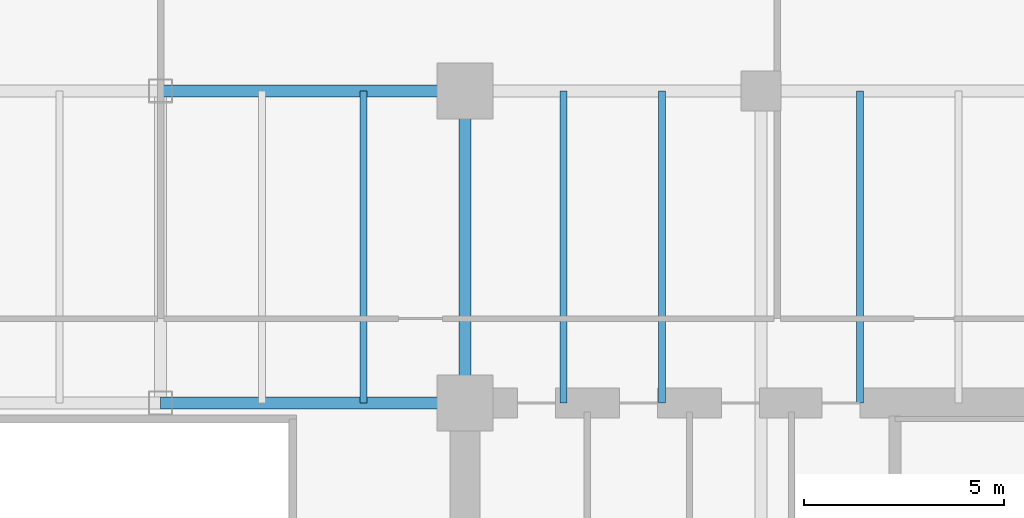
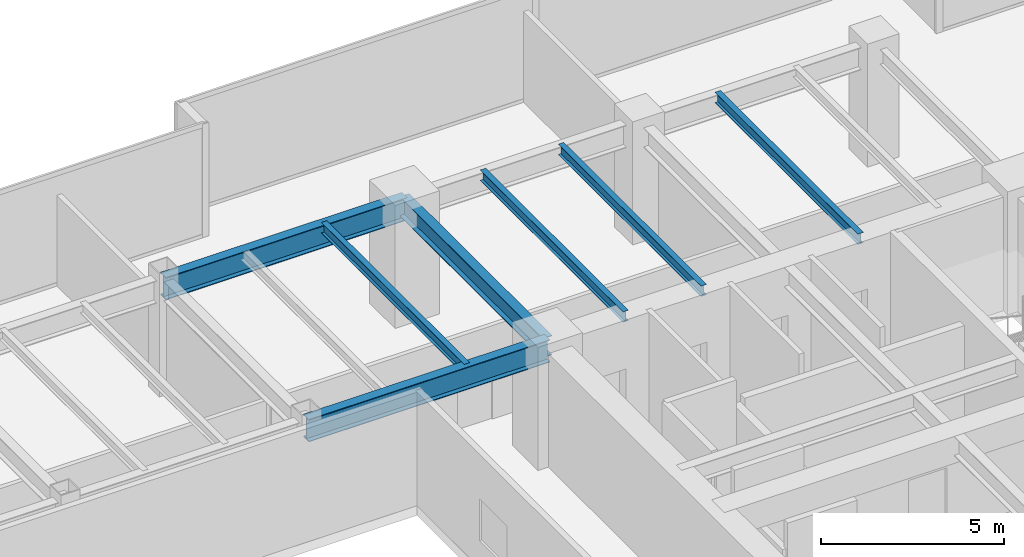
# One storey, part 19 of 35: 7 beams.
"""IFC4 building model written with IfcOpenShell, lengths in metres."""

from ifc_helpers import new_model, si_unit, direction, frame, origin, origin_2d, place, context, subcontext, project, spatial, i_section, extrude, source, transform, mapped, material, material_profile, profile_set, type_object, type_shapes, element, save


model = new_model("IFC4")

# Units and contexts
model_context = context("Model", 3, precision=1e-05, world=origin(), true_north=direction((0.0, 1.0)))
body_context = subcontext(model_context, "Body", "Model", "MODEL_VIEW")
ifc_project = project(units=[si_unit("LENGTHUNIT", "METRE"), si_unit("AREAUNIT", "SQUARE_METRE"), si_unit("VOLUMEUNIT", "CUBIC_METRE"), si_unit("PLANEANGLEUNIT", "RADIAN"), si_unit("MASSUNIT", "GRAM", prefix="KILO")], contexts=[model_context])

# Site, building, storey
site_placement = place(None, origin())
site = spatial("IfcSite", under=ifc_project, at=site_placement, CompositionType="ELEMENT")
building_placement = place(site_placement, origin())
building = spatial("IfcBuilding", under=site, at=building_placement, Name="Haelvirn Gate Laboratories", CompositionType="ELEMENT")
storey_placement = place(building_placement, frame((0.0, 0.0, 66.199951171875)))
storey = spatial("IfcBuildingStorey", under=building, at=storey_placement, Name="L16", CompositionType="ELEMENT", Elevation=66.199951171875)

# Beams
ifc_material = material(Name="Steel SM355", Category="steel")
ifc_material_profile_1 = material_profile(ifc_material, i_section(OverallWidth=0.300048828125, OverallDepth=0.75, WebThickness=0.013916015625, FlangeThickness=0.02392578125, at=origin_2d()), Name="H-750x300x14x24")
ifc_profile_set_1 = profile_set([ifc_material_profile_1], Name="Steel SM355")
beam_type_1 = type_object("IfcBeamType", Name="BM-G-750", PredefinedType="BEAM", material=ifc_profile_set_1)
shared_shape_1 = source(origin(), body_context, "Body", "SweptSolid", [
    extrude(i_section(OverallWidth=0.300048828125, OverallDepth=0.75, WebThickness=0.013916015625, FlangeThickness=0.02392578125, at=origin_2d()), origin(), (0.0, 0.0, 1.0), 7.60009765625),
])
type_shapes(beam_type_1, [shared_shape_1])
for number, where, z_axis, x_axis, name in (
    (1, (45.0, 33.800048828125, 3.405029296875), (1.0, 0.0, 0.0), (0.0, 1.0, 0.0), "L16 Primary Girder Y33.8 (45.0-52.6)"),
    (2, (45.0, 41.60009765625, 3.405029296875), (1.0, 0.0, 0.0), (0.0, 1.0, 0.0), "L16 Primary Girder Y41.6 (45.0-52.6)"),
):
    element("IfcBeam", number, at=place(storey_placement, frame(where, z_axis=z_axis, x_axis=x_axis)), inside=storey, type_object=beam_type_1, Name=name, PredefinedType="BEAM", context=body_context, shape_type="MappedRepresentation", body=[
        mapped(shared_shape_1, transform((0.0, 0.0, 0.0), scale=1.0)),
    ])
ifc_material_profile_2 = material_profile(ifc_material, i_section(OverallWidth=0.175048828125, OverallDepth=0.35009765625, WebThickness=0.007080078125, FlangeThickness=0.010986328125, at=origin_2d()), Name="H-350x175x7x11")
ifc_profile_set_2 = profile_set([ifc_material_profile_2], Name="Steel SM355")
beam_type_2 = type_object("IfcBeamType", Name="BM-J-350", PredefinedType="JOIST", material=ifc_profile_set_2)
shared_shape_2 = source(origin(), body_context, "Body", "SweptSolid", [
    extrude(i_section(OverallWidth=0.175048828125, OverallDepth=0.35009765625, WebThickness=0.007080078125, FlangeThickness=0.010986328125, at=origin_2d()), origin(), (0.0, 0.0, 1.0), 7.800048828125),
])
type_shapes(beam_type_2, [shared_shape_2])
for number, where, z_axis, x_axis, name in (
    (3, (50.070068359375, 33.800048828125, 3.60498046875), (0.0, 1.0, 0.0), (-1.0, 0.0, 0.0), "L16 Composite Lab Joist North X50.07"),
    (4, (55.070068359375, 33.800048828125, 3.60498046875), (0.0, 1.0, 0.0), (-1.0, 0.0, 0.0), "L16 Composite Lab Joist North X55.07"),
    (5, (57.530029296875, 33.800048828125, 3.60498046875), (0.0, 1.0, 0.0), (-1.0, 0.0, 0.0), "L16 Composite Lab Joist North X57.53"),
    (6, (62.469970703125, 33.800048828125, 3.60498046875), (0.0, 1.0, 0.0), (-1.0, 0.0, 0.0), "L16 Composite Lab Joist North X62.47"),
):
    element("IfcBeam", number, at=place(storey_placement, frame(where, z_axis=z_axis, x_axis=x_axis)), inside=storey, type_object=beam_type_2, Name=name, PredefinedType="JOIST", context=body_context, shape_type="MappedRepresentation", body=[
        mapped(shared_shape_2, transform((0.0, 0.0, 0.0), scale=1.0)),
    ])
ifc_material_profile_3 = material_profile(ifc_material, i_section(OverallWidth=0.300048828125, OverallDepth=0.64990234375, WebThickness=0.012939453125, FlangeThickness=0.02197265625, at=origin_2d()), Name="H-650x300x13x22")
ifc_profile_set_3 = profile_set([ifc_material_profile_3], Name="Steel SM355")
beam_type_3 = type_object("IfcBeamType", Name="BM-G-650", PredefinedType="BEAM", material=ifc_profile_set_3)
shared_shape_3 = source(origin(), body_context, "Body", "SweptSolid", [
    extrude(i_section(OverallWidth=0.300048828125, OverallDepth=0.64990234375, WebThickness=0.012939453125, FlangeThickness=0.02197265625, at=origin_2d()), origin(), (0.0, 0.0, 1.0), 7.800048828125),
])
type_shapes(beam_type_3, [shared_shape_3])
beam_placement = place(storey_placement, frame((52.60009765625, 33.800048828125, 3.455078125), z_axis=(0.0, 1.0, 0.0), x_axis=(-1.0, 0.0, 0.0)))
element("IfcBeam", 7, at=beam_placement, inside=storey, type_object=beam_type_3, Name="L16 Frame Girder X52.6 (33.8-41.6)", PredefinedType="BEAM", context=body_context, shape_type="MappedRepresentation", body=[
    mapped(shared_shape_3, transform((0.0, 0.0, 0.0), scale=1.0)),
])

save(model, "model.ifc")
